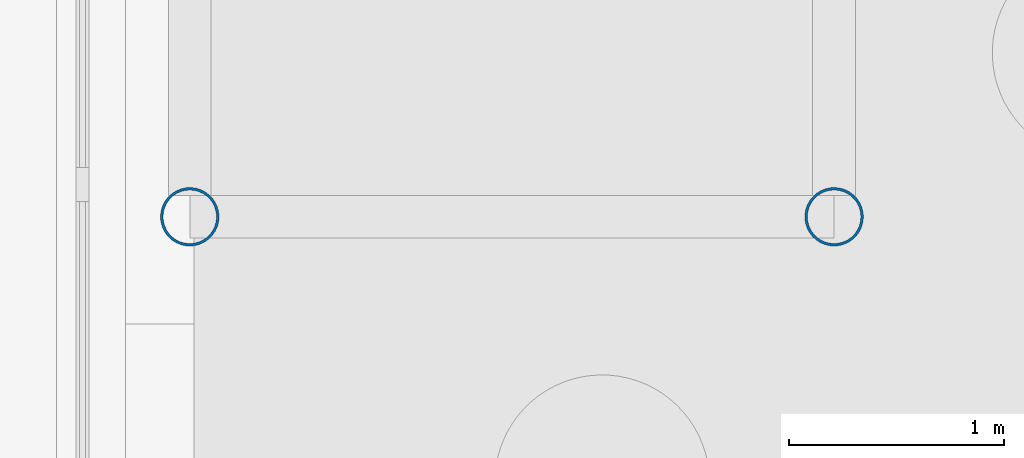
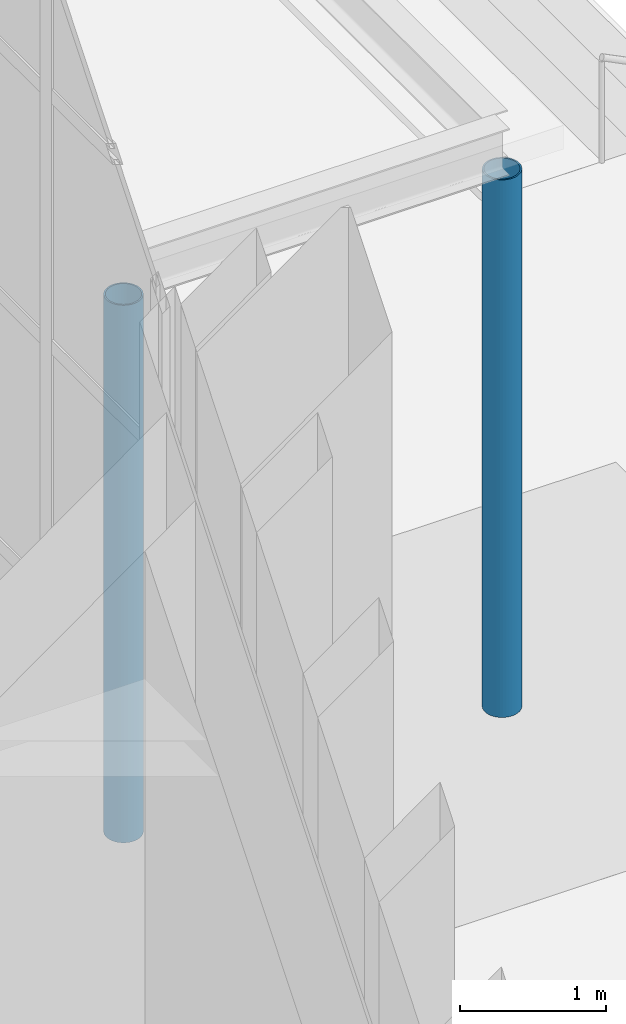
# One storey, part 28 of 108: 2 columns.
"""IFC4 building model written with IfcOpenShell, lengths in metres."""

from ifc_helpers import new_model, si_unit, direction, frame, origin, origin_2d, place, context, subcontext, project, spatial, hollow_circle, extrude, material, material_profile, profile_set, type_object, element, save


model = new_model("IFC4")

# Units and contexts
model_context = context("Model", 3, precision=1e-05, world=origin(), true_north=direction((0.0, 1.0)))
body_context = subcontext(model_context, "Body", "Model", "MODEL_VIEW")
ifc_project = project(units=[si_unit("LENGTHUNIT", "METRE"), si_unit("AREAUNIT", "SQUARE_METRE"), si_unit("VOLUMEUNIT", "CUBIC_METRE"), si_unit("PLANEANGLEUNIT", "RADIAN"), si_unit("MASSUNIT", "GRAM", prefix="KILO")], contexts=[model_context])

# Site, building, storey
site_placement = place(None, origin())
site = spatial("IfcSite", under=ifc_project, at=site_placement, CompositionType="ELEMENT")
building_placement = place(site_placement, origin())
building = spatial("IfcBuilding", under=site, at=building_placement, Name="Cresset Court Congress Hotel", CompositionType="ELEMENT")
storey_placement = place(building_placement, origin())
storey = spatial("IfcBuildingStorey", under=building, at=storey_placement, Name="L00", CompositionType="ELEMENT", Elevation=0.0)

# Columns
ifc_material = material(Name="Structural steel Q355B", Category="steel")
ifc_material_profile = material_profile(ifc_material, hollow_circle(Radius=0.136474609375, WallThickness=0.011962890625, at=origin_2d()), Name="CHS273x12")
ifc_profile_set = profile_set([ifc_material_profile], Name="Structural steel Q355B")
column_type = type_object("IfcColumnType", Name="Canopy column CHS273x12", PredefinedType="COLUMN", material=ifc_profile_set)
for number, where, z_axis, x_axis, name in (
    (1, (177.300048828125, 10.39990234375, 0.0), (0.0, 0.0, 1.0), (1.0, 0.0, 0.0), "Canopy column 1A"),
    (2, (180.300048828125, 10.39990234375, 0.0), (0.0, 0.0, 1.0), (1.0, 0.0, 0.0), "Canopy column 1B"),
):
    element("IfcColumn", number, at=place(storey_placement, frame(where, z_axis=z_axis, x_axis=x_axis)), inside=storey, type_object=column_type, Name=name, PredefinedType="COLUMN", context=body_context, shape_type="SweptSolid", body=[
        extrude(hollow_circle(Radius=0.136474609375, WallThickness=0.011962890625, at=origin_2d()), origin(), (0.0, 0.0, 1.0), 4.50390625),
    ])

save(model, "model.ifc")
